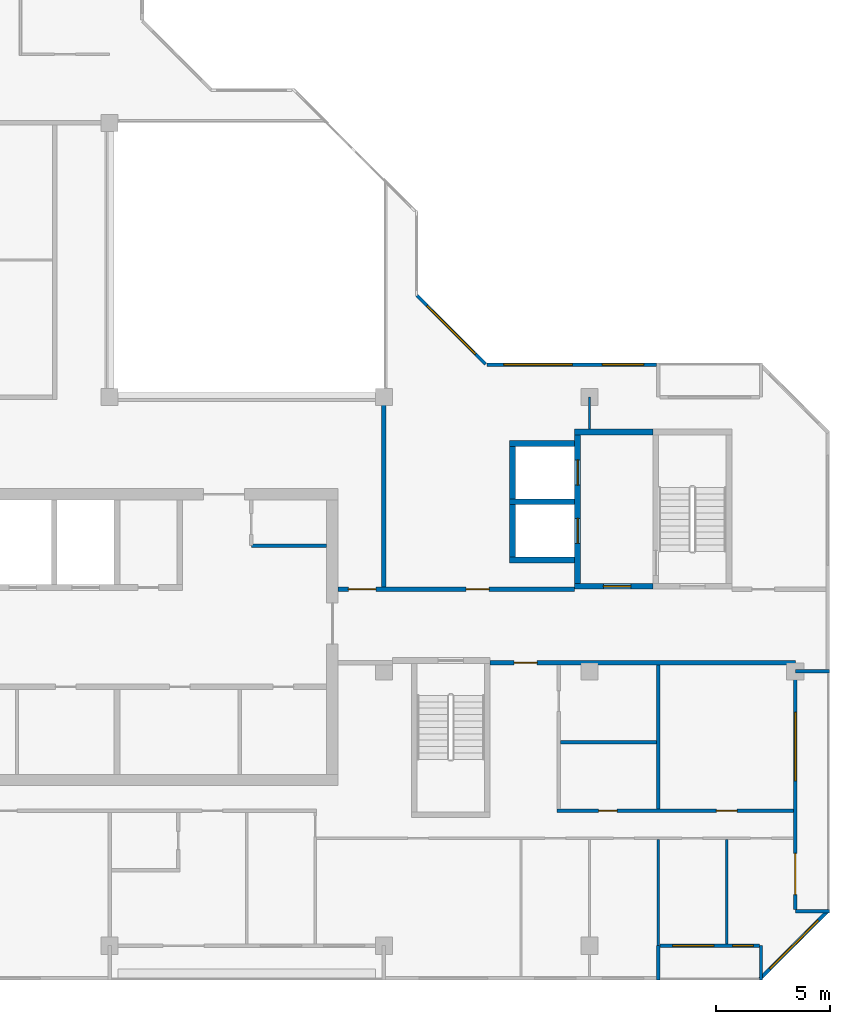
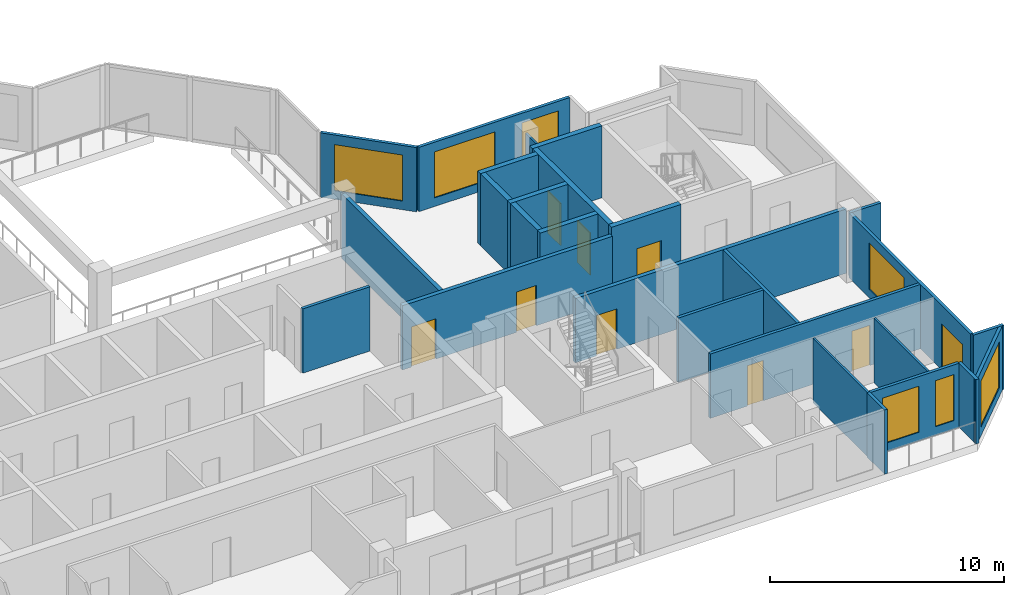
# One storey, part 6 of 12: 27 walls, 9 doors, 7 windows, 16 openings.
"""IFC4 building model written with IfcOpenShell, lengths in metres."""

from ifc_helpers import new_model, si_unit, direction, frame, frame_2d, origin, place, context, subcontext, project, spatial, rectangle, extrude, material, layer, layer_set, type_object, element, fill, save


model = new_model("IFC4")

# Units and contexts
model_context = context("Model", 3, precision=1e-05, world=origin(), true_north=direction((0.0, 1.0)))
body_context = subcontext(model_context, "Body", "Model", "MODEL_VIEW")
ifc_project = project(units=[si_unit("LENGTHUNIT", "METRE"), si_unit("AREAUNIT", "SQUARE_METRE"), si_unit("VOLUMEUNIT", "CUBIC_METRE"), si_unit("PLANEANGLEUNIT", "RADIAN"), si_unit("MASSUNIT", "GRAM", prefix="KILO")], contexts=[model_context])

# Site, building, storey
site_placement = place(None, origin())
site = spatial("IfcSite", under=ifc_project, at=site_placement, CompositionType="ELEMENT")
building_placement = place(site_placement, origin())
building = spatial("IfcBuilding", under=site, at=building_placement, Name="Chenar Terraces", CompositionType="ELEMENT")
storey_placement = place(building_placement, frame((0.0, 0.0, 342.64990234375)))
storey = spatial("IfcBuildingStorey", under=building, at=storey_placement, Name="L79", CompositionType="ELEMENT", Elevation=342.64990234375)

# Wall
ifc_material_1 = material(Name="Gypsum board on steel studs", Category="steel")
ifc_layer_1 = layer(ifc_material_1, 0.14990234375)
ifc_layer_set_1 = layer_set([ifc_layer_1], Name="Gypsum board on steel studs")
wall_type_1 = type_object("IfcWallType", Name="Core partition 150 gypsum board", PredefinedType="PARTITIONING", material=ifc_layer_set_1)
wall_1_placement = place(storey_placement, frame((30.199951171875, 17.5, 0.0), z_axis=(0.0, 0.0, 1.0), x_axis=(1.0, 0.0, 0.0)))
element("IfcWall", 1, at=wall_1_placement, inside=storey, type_object=wall_type_1, Name="Core partition CP1 vestibule room south wall", PredefinedType="PARTITIONING", context=body_context, shape_type="SweptSolid", body=[
    extrude(rectangle(XDim=3.300048828125, YDim=0.14990234375, at=frame_2d((1.64990234375, 0.0))), origin(), (0.0, 0.0, 1.0), 3.35009765625),
])

# Wall, opening, door
ifc_material_2 = material(Name="Concrete C50/60", Category="concrete")
ifc_layer_2 = layer(ifc_material_2, 0.25)
ifc_layer_set_2 = layer_set([ifc_layer_2], Name="Concrete C50/60")
wall_type_2 = type_object("IfcWallType", Name="Core wall 250 Concrete C50/60", PredefinedType="SHEAR", material=ifc_layer_set_2)
wall_2_placement = place(storey_placement, frame((44.35009765625, 15.72509765625, 0.0), z_axis=(0.0, 0.0, 1.0), x_axis=(1.0, 0.0, 0.0)))
wall_2 = element("IfcWall", 2, at=wall_2_placement, inside=storey, type_object=wall_type_2, Name="Core wall F3_LS L79", PredefinedType="SHEAR", context=body_context, shape_type="SweptSolid", body=[
    extrude(rectangle(XDim=3.4248046875, YDim=0.25, at=frame_2d((1.71240234375, 0.0))), origin(), (0.0, 0.0, 1.0), 3.75),
])
opening_1_placement = place(wall_2_placement, frame((1.25, 0.0, 0.0)))
opening_1 = element("IfcOpeningElement", 3, at=opening_1_placement, cuts=wall_2, Name="Opening DL79-C10", PredefinedType="OPENING", context=body_context, shape_type="SweptSolid", body=[
    extrude(rectangle(XDim=1.199951171875, YDim=2.199951171875, at=frame_2d((0.60009765625, 1.10009765625))), frame((0.0, 0.135009765625, 0.0), z_axis=(0.0, -1.0, 0.0), x_axis=(1.0, 0.0, 0.0)), (0.0, 0.0, 1.0), 0.27001953125),
])
ifc_material_3 = material(Name="Steel-framed fire-resisting door leaf", Category="steel")
door_type_1 = type_object("IfcDoorType", Name="Lobby fire door FD60 1200 x 2200", OperationType="SINGLE_SWING_LEFT", PredefinedType="DOOR", material=ifc_material_3)
door_1_placement = place(opening_1_placement, origin())
door_1 = element("IfcDoor", 4, at=door_1_placement, inside=storey, type_object=door_type_1, Name="Core door DL79-C10", OperationType="SINGLE_SWING_RIGHT", OverallHeight=2.199951171875, OverallWidth=1.199951171875, PredefinedType="DOOR", context=body_context, shape_type="SweptSolid", body=[
    extrude(rectangle(XDim=1.199951171875, YDim=2.199951171875, at=frame_2d((0.60009765625, 1.10009765625))), frame((0.0, 0.02490234375, 0.0), z_axis=(0.0, -1.0, 0.0), x_axis=(1.0, 0.0, 0.0)), (0.0, 0.0, 1.0), 0.050048828125),
])
fill(opening_1, door_1)

# Wall
wall_3_placement = place(storey_placement, frame((44.35009765625, 22.47509765625, 0.0), z_axis=(0.0, 0.0, 1.0), x_axis=(1.0, 0.0, 0.0)))
element("IfcWall", 5, at=wall_3_placement, inside=storey, type_object=wall_type_2, Name="Core wall F3_LN L79", PredefinedType="SHEAR", context=body_context, shape_type="SweptSolid", body=[
    extrude(rectangle(XDim=3.4248046875, YDim=0.25, at=frame_2d((1.71240234375, 0.0))), origin(), (0.0, 0.0, 1.0), 3.75),
])

# Wall, openings, doors
wall_4_placement = place(storey_placement, frame((44.47509765625, 15.85009765625, 0.0), z_axis=(0.0, 0.0, 1.0), x_axis=(0.0, 1.0, 0.0)))
wall_4 = element("IfcWall", 6, at=wall_4_placement, inside=storey, type_object=wall_type_2, Name="Core wall F3_LW L79", PredefinedType="SHEAR", context=body_context, shape_type="SweptSolid", body=[
    extrude(rectangle(XDim=6.5, YDim=0.25, at=frame_2d((3.25, 0.0))), origin(), (0.0, 0.0, 1.0), 3.75),
])
opening_2_placement = place(wall_4_placement, frame((1.75, 0.0, 0.0)))
opening_2 = element("IfcOpeningElement", 7, at=opening_2_placement, cuts=wall_4, Name="Opening DL79-LD8", PredefinedType="OPENING", context=body_context, shape_type="SweptSolid", body=[
    extrude(rectangle(XDim=1.10009765625, YDim=2.199951171875, at=frame_2d((0.550048828125, 1.10009765625))), frame((0.0, 0.135009765625, 0.0), z_axis=(0.0, -1.0, 0.0), x_axis=(1.0, 0.0, 0.0)), (0.0, 0.0, 1.0), 0.27001953125),
])
opening_3_placement = place(wall_4_placement, frame((4.300048828125, 0.0, 0.0)))
opening_3 = element("IfcOpeningElement", 8, at=opening_3_placement, cuts=wall_4, Name="Opening DL79-LD9", PredefinedType="OPENING", context=body_context, shape_type="SweptSolid", body=[
    extrude(rectangle(XDim=1.10009765625, YDim=2.199951171875, at=frame_2d((0.550048828125, 1.10009765625))), frame((0.0, 0.135009765625, 0.0), z_axis=(0.0, -1.0, 0.0), x_axis=(1.0, 0.0, 0.0)), (0.0, 0.0, 1.0), 0.27001953125),
])
ifc_material_4 = material(Name="Stainless steel", Category="steel")
door_type_2 = type_object("IfcDoorType", Name="Lift landing door 1100 x 2200 sliding", OperationType="DOUBLE_DOOR_SLIDING", PredefinedType="DOOR", material=ifc_material_4)
door_2_placement = place(opening_2_placement, origin())
door_2 = element("IfcDoor", 9, at=door_2_placement, inside=storey, type_object=door_type_2, Name="Landing door F3", OperationType="DOUBLE_DOOR_SLIDING", OverallHeight=2.199951171875, OverallWidth=1.10009765625, PredefinedType="DOOR", context=body_context, shape_type="SweptSolid", body=[
    extrude(rectangle(XDim=1.10009765625, YDim=2.199951171875, at=frame_2d((0.550048828125, 1.10009765625))), frame((0.0, 0.02490234375, 0.0), z_axis=(0.0, -1.0, 0.0), x_axis=(1.0, 0.0, 0.0)), (0.0, 0.0, 1.0), 0.050048828125),
])
fill(opening_2, door_2)
door_3_placement = place(opening_3_placement, origin())
door_3 = element("IfcDoor", 10, at=door_3_placement, inside=storey, type_object=door_type_2, Name="Landing door F4", OperationType="DOUBLE_DOOR_SLIDING", OverallHeight=2.199951171875, OverallWidth=1.10009765625, PredefinedType="DOOR", context=body_context, shape_type="SweptSolid", body=[
    extrude(rectangle(XDim=1.10009765625, YDim=2.199951171875, at=frame_2d((0.550048828125, 1.10009765625))), frame((0.0, 0.02490234375, 0.0), z_axis=(0.0, -1.0, 0.0), x_axis=(1.0, 0.0, 0.0)), (0.0, 0.0, 1.0), 0.050048828125),
])
fill(opening_3, door_3)

# Walls
for number, where, z_axis, x_axis, name in (
    (11, (41.5, 16.875, 0.0), (0.0, 0.0, 1.0), (1.0, 0.0, 0.0), "Core wall F3_SS L79"),
    (12, (41.5, 19.425048828125, 0.0), (0.0, 0.0, 1.0), (1.0, 0.0, 0.0), "Core wall F3_SM L79"),
    (13, (41.5, 21.97509765625, 0.0), (0.0, 0.0, 1.0), (1.0, 0.0, 0.0), "Core wall F4_SN L79"),
):
    element("IfcWall", number, at=place(storey_placement, frame(where, z_axis=z_axis, x_axis=x_axis)), inside=storey, type_object=wall_type_2, Name=name, PredefinedType="SHEAR", context=body_context, shape_type="SweptSolid", body=[
        extrude(rectangle(XDim=2.85009765625, YDim=0.25, at=frame_2d((1.425048828125, 0.0))), origin(), (0.0, 0.0, 1.0), 3.75),
    ])
for number, where, z_axis, x_axis, name in (
    (14, (41.625, 17.0, 0.0), (0.0, 0.0, 1.0), (0.0, 1.0, 0.0), "Core wall F3_SW L79"),
    (15, (41.625, 19.550048828125, 0.0), (0.0, 0.0, 1.0), (0.0, 1.0, 0.0), "Core wall F4_SW L79"),
):
    element("IfcWall", number, at=place(storey_placement, frame(where, z_axis=z_axis, x_axis=x_axis)), inside=storey, type_object=wall_type_2, Name=name, PredefinedType="SHEAR", context=body_context, shape_type="SweptSolid", body=[
        extrude(rectangle(XDim=2.300048828125, YDim=0.25, at=frame_2d((1.14990234375, 0.0))), origin(), (0.0, 0.0, 1.0), 3.75),
    ])

# Wall, openings, doors
ifc_material_5 = material(Name="Gypsum board on steel studs with fire boards", Category="steel")
ifc_layer_3 = layer(ifc_material_5, 0.199951171875)
ifc_layer_set_3 = layer_set([ifc_layer_3], Name="Gypsum board on steel studs with fire boards")
wall_type_3 = type_object("IfcWallType", Name="Corridor wall 200", PredefinedType="PARTITIONING", material=ifc_layer_set_3)
wall_5_placement = place(storey_placement, frame((34.0, 15.60009765625, 0.0), z_axis=(0.0, 0.0, 1.0), x_axis=(1.0, 0.0, 0.0)))
wall_5 = element("IfcWall", 16, at=wall_5_placement, inside=storey, type_object=wall_type_3, Name="Partition L79-051", PredefinedType="PARTITIONING", context=body_context, shape_type="SweptSolid", body=[
    extrude(rectangle(XDim=10.35009765625, YDim=0.199951171875, at=frame_2d((5.175048828125, 0.0))), origin(), (0.0, 0.0, 1.0), 3.35009765625),
])
opening_4_placement = place(wall_5_placement, frame((5.60009765625, 0.0, 0.0)))
opening_4 = element("IfcOpeningElement", 17, at=opening_4_placement, cuts=wall_5, Name="Opening DL79-3", PredefinedType="OPENING", context=body_context, shape_type="SweptSolid", body=[
    extrude(rectangle(XDim=1.0, YDim=2.10009765625, at=frame_2d((0.5, 1.050048828125))), frame((0.0, 0.10986328125, 0.0), z_axis=(0.0, -1.0, 0.0), x_axis=(1.0, 0.0, 0.0)), (0.0, 0.0, 1.0), 0.219970703125),
])
opening_5_placement = place(wall_5_placement, frame((0.449951171875, 0.0, 0.0)))
opening_5 = element("IfcOpeningElement", 18, at=opening_5_placement, cuts=wall_5, Name="Opening DL79-19", PredefinedType="OPENING", context=body_context, shape_type="SweptSolid", body=[
    extrude(rectangle(XDim=1.199951171875, YDim=2.10009765625, at=frame_2d((0.60009765625, 1.050048828125))), frame((0.0, 0.10986328125, 0.0), z_axis=(0.0, -1.0, 0.0), x_axis=(1.0, 0.0, 0.0)), (0.0, 0.0, 1.0), 0.219970703125),
])
ifc_material_6 = material(Name="Steel-framed fire-resisting door leaf", Category="steel")
door_type_3 = type_object("IfcDoorType", Name="Fire door FD60 1000 x 2100", OperationType="SINGLE_SWING_LEFT", PredefinedType="DOOR", material=ifc_material_6)
door_4_placement = place(opening_4_placement, origin())
door_4 = element("IfcDoor", 19, at=door_4_placement, inside=storey, type_object=door_type_3, Name="Door DL79-3", OperationType="SINGLE_SWING_RIGHT", OverallHeight=2.10009765625, OverallWidth=1.0, PredefinedType="DOOR", context=body_context, shape_type="SweptSolid", body=[
    extrude(rectangle(XDim=1.0, YDim=2.10009765625, at=frame_2d((0.5, 1.050048828125))), frame((0.0, 0.02490234375, 0.0), z_axis=(0.0, -1.0, 0.0), x_axis=(1.0, 0.0, 0.0)), (0.0, 0.0, 1.0), 0.050048828125),
])
fill(opening_4, door_4)
ifc_material_7 = material(Name="Steel-framed fire-resisting door leaf", Category="steel")
door_type_4 = type_object("IfcDoorType", Name="Fire door FD60 1200 x 2100", OperationType="SINGLE_SWING_LEFT", PredefinedType="DOOR", material=ifc_material_7)
door_5_placement = place(opening_5_placement, origin())
door_5 = element("IfcDoor", 20, at=door_5_placement, inside=storey, type_object=door_type_4, Name="Door DL79-19", OperationType="SINGLE_SWING_RIGHT", OverallHeight=2.10009765625, OverallWidth=1.199951171875, PredefinedType="DOOR", context=body_context, shape_type="SweptSolid", body=[
    extrude(rectangle(XDim=1.199951171875, YDim=2.10009765625, at=frame_2d((0.60009765625, 1.050048828125))), frame((0.0, 0.02490234375, 0.0), z_axis=(0.0, -1.0, 0.0), x_axis=(1.0, 0.0, 0.0)), (0.0, 0.0, 1.0), 0.050048828125),
])
fill(opening_5, door_5)

# Wall
wall_6_placement = place(storey_placement, frame((36.0, 15.699951171875, 0.0), z_axis=(0.0, 0.0, 1.0), x_axis=(0.0, 1.0, 0.0)))
element("IfcWall", 21, at=wall_6_placement, inside=storey, type_object=wall_type_3, Name="Partition L79-052", PredefinedType="PARTITIONING", context=body_context, shape_type="SweptSolid", body=[
    extrude(rectangle(XDim=8.300048828125, YDim=0.199951171875, at=frame_2d((4.14990234375, 0.0))), origin(), (0.0, 0.0, 1.0), 3.35009765625),
])

# Wall, opening, door
wall_7_placement = place(storey_placement, frame((40.64990234375, 12.375, 0.0), z_axis=(0.0, 0.0, 1.0), x_axis=(1.0, 0.0, 0.0)))
wall_7 = element("IfcWall", 22, at=wall_7_placement, inside=storey, type_object=wall_type_3, Name="Partition L79-053", PredefinedType="PARTITIONING", context=body_context, shape_type="SweptSolid", body=[
    extrude(rectangle(XDim=13.35009765625, YDim=0.199951171875, at=frame_2d((6.675048828125, 0.0))), origin(), (0.0, 0.0, 1.0), 3.35009765625),
])
opening_6_placement = place(wall_7_placement, frame((1.050048828125, 0.0, 0.0)))
opening_6 = element("IfcOpeningElement", 23, at=opening_6_placement, cuts=wall_7, Name="Opening DL79-35", PredefinedType="OPENING", context=body_context, shape_type="SweptSolid", body=[
    extrude(rectangle(XDim=1.0, YDim=2.10009765625, at=frame_2d((0.5, 1.050048828125))), frame((0.0, 0.10986328125, 0.0), z_axis=(0.0, -1.0, 0.0), x_axis=(1.0, 0.0, 0.0)), (0.0, 0.0, 1.0), 0.219970703125),
])
ifc_material_8 = material(Name="Steel-framed fire-resisting door leaf", Category="steel")
door_type_5 = type_object("IfcDoorType", Name="Fire door FD30S 1000 x 2100", OperationType="SINGLE_SWING_LEFT", PredefinedType="DOOR", material=ifc_material_8)
door_6_placement = place(opening_6_placement, origin())
door_6 = element("IfcDoor", 24, at=door_6_placement, inside=storey, type_object=door_type_5, Name="Door DL79-35", OperationType="SINGLE_SWING_LEFT", OverallHeight=2.10009765625, OverallWidth=1.0, PredefinedType="DOOR", context=body_context, shape_type="SweptSolid", body=[
    extrude(rectangle(XDim=1.0, YDim=2.10009765625, at=frame_2d((0.5, 1.050048828125))), frame((0.0, 0.02490234375, 0.0), z_axis=(0.0, -1.0, 0.0), x_axis=(1.0, 0.0, 0.0)), (0.0, 0.0, 1.0), 0.050048828125),
])
fill(opening_6, door_6)

# Wall, openings, windows
ifc_material_9 = material(Name="Aluminium framed glazing", Category="aluminium")
ifc_layer_4 = layer(ifc_material_9, 0.14990234375)
ifc_layer_set_4 = layer_set([ifc_layer_4], Name="Aluminium framed glazing")
wall_type_4 = type_object("IfcWallType", Name="Glazed flush facade wall 150", PredefinedType="SOLIDWALL", material=ifc_layer_set_4)
wall_8_placement = place(storey_placement, frame((47.925048828125, 25.425048828125, 0.0), z_axis=(0.0, 0.0, 1.0), x_axis=(-1.0, 0.0, 0.0)))
wall_8 = element("IfcWall", 25, at=wall_8_placement, inside=storey, type_object=wall_type_4, Name="Glazed flush facade wall", PredefinedType="SOLIDWALL", context=body_context, shape_type="SweptSolid", body=[
    extrude(rectangle(XDim=7.425048828125, YDim=0.14990234375, at=frame_2d((3.71240234375, 0.0))), origin(), (0.0, 0.0, 1.0), 3.35009765625),
])
opening_7_placement = place(wall_8_placement, frame((0.5625, 0.0, 0.449951171875)))
opening_7 = element("IfcOpeningElement", 26, at=opening_7_placement, cuts=wall_8, Name="Opening W180x240", PredefinedType="OPENING", context=body_context, shape_type="SweptSolid", body=[
    extrude(rectangle(XDim=1.800048828125, YDim=2.39990234375, at=frame_2d((0.89990234375, 1.199951171875))), frame((0.0, 0.0849609375, 0.0), z_axis=(0.0, -1.0, 0.0), x_axis=(1.0, 0.0, 0.0)), (0.0, 0.0, 1.0), 0.169921875),
])
opening_8_placement = place(wall_8_placement, frame((3.675048828125, 0.0, 0.449951171875)))
opening_8 = element("IfcOpeningElement", 27, at=opening_8_placement, cuts=wall_8, Name="Opening W300x240", PredefinedType="OPENING", context=body_context, shape_type="SweptSolid", body=[
    extrude(rectangle(XDim=3.0, YDim=2.39990234375, at=frame_2d((1.5, 1.199951171875))), frame((0.0, 0.0849609375, 0.0), z_axis=(0.0, -1.0, 0.0), x_axis=(1.0, 0.0, 0.0)), (0.0, 0.0, 1.0), 0.169921875),
])
ifc_material_10 = material(Name="Low emissivity double glazing, aluminium frame", Category="aluminium")
window_type_1 = type_object("IfcWindowType", Name="Fixed light 1800 x 2400", PartitioningType="SINGLE_PANEL", PredefinedType="WINDOW", material=ifc_material_10)
window_1_placement = place(opening_7_placement, origin())
window_1 = element("IfcWindow", 28, at=window_1_placement, inside=storey, type_object=window_type_1, Name="Window", OverallHeight=2.39990234375, OverallWidth=1.800048828125, PartitioningType="SINGLE_PANEL", PredefinedType="WINDOW", context=body_context, shape_type="SweptSolid", body=[
    extrude(rectangle(XDim=1.800048828125, YDim=2.39990234375, at=frame_2d((0.89990234375, 1.199951171875))), frame((0.0, 0.030029296875, 0.0), z_axis=(0.0, -1.0, 0.0), x_axis=(1.0, 0.0, 0.0)), (0.0, 0.0, 1.0), 0.06005859375),
])
fill(opening_7, window_1)
ifc_material_11 = material(Name="Low emissivity double glazing, aluminium frame", Category="aluminium")
window_type_2 = type_object("IfcWindowType", Name="Fixed light 3000 x 2400", PartitioningType="SINGLE_PANEL", PredefinedType="WINDOW", material=ifc_material_11)
window_2_placement = place(opening_8_placement, origin())
window_2 = element("IfcWindow", 29, at=window_2_placement, inside=storey, type_object=window_type_2, Name="Window", OverallHeight=2.39990234375, OverallWidth=3.0, PartitioningType="SINGLE_PANEL", PredefinedType="WINDOW", context=body_context, shape_type="SweptSolid", body=[
    extrude(rectangle(XDim=3.0, YDim=2.39990234375, at=frame_2d((1.5, 1.199951171875))), frame((0.0, 0.030029296875, 0.0), z_axis=(0.0, -1.0, 0.0), x_axis=(1.0, 0.0, 0.0)), (0.0, 0.0, 1.0), 0.06005859375),
])
fill(opening_8, window_2)

ifc_material_12 = material(Name="Aluminium framed glazing", Category="aluminium")
ifc_layer_5 = layer(ifc_material_12, 0.14990234375)
ifc_layer_set_5 = layer_set([ifc_layer_5], Name="Aluminium framed glazing")
wall_type_5 = type_object("IfcWallType", Name="Glazed loggia back wall 150", PredefinedType="SOLIDWALL", material=ifc_layer_set_5)
wall_9_placement = place(storey_placement, frame((48.074951171875, 0.0, 0.0), z_axis=(0.0, 0.0, 1.0), x_axis=(1.0, 0.0, 0.0)))
wall_9 = element("IfcWall", 30, at=wall_9_placement, inside=storey, type_object=wall_type_5, Name="Glazed loggia back wall", PredefinedType="SOLIDWALL", context=body_context, shape_type="SweptSolid", body=[
    extrude(rectangle(XDim=4.35009765625, YDim=0.14990234375, at=frame_2d((2.175048828125, 0.0))), origin(), (0.0, 0.0, 1.0), 3.35009765625),
])
opening_9_placement = place(wall_9_placement, frame((0.5625, 0.0, 0.449951171875)))
opening_9 = element("IfcOpeningElement", 31, at=opening_9_placement, cuts=wall_9, Name="Opening W180x240", PredefinedType="OPENING", context=body_context, shape_type="SweptSolid", body=[
    extrude(rectangle(XDim=1.800048828125, YDim=2.39990234375, at=frame_2d((0.89990234375, 1.199951171875))), frame((0.0, 0.0849609375, 0.0), z_axis=(0.0, -1.0, 0.0), x_axis=(1.0, 0.0, 0.0)), (0.0, 0.0, 1.0), 0.169921875),
])
opening_10_placement = place(wall_9_placement, frame((3.1875, 0.0, 0.449951171875)))
opening_10 = element("IfcOpeningElement", 32, at=opening_10_placement, cuts=wall_9, Name="Opening W90x240", PredefinedType="OPENING", context=body_context, shape_type="SweptSolid", body=[
    extrude(rectangle(XDim=0.89990234375, YDim=2.39990234375, at=frame_2d((0.449951171875, 1.199951171875))), frame((0.0, 0.0849609375, 0.0), z_axis=(0.0, -1.0, 0.0), x_axis=(1.0, 0.0, 0.0)), (0.0, 0.0, 1.0), 0.169921875),
])
window_3_placement = place(opening_9_placement, origin())
window_3 = element("IfcWindow", 33, at=window_3_placement, inside=storey, type_object=window_type_1, Name="Window", OverallHeight=2.39990234375, OverallWidth=1.800048828125, PartitioningType="SINGLE_PANEL", PredefinedType="WINDOW", context=body_context, shape_type="SweptSolid", body=[
    extrude(rectangle(XDim=1.800048828125, YDim=2.39990234375, at=frame_2d((0.89990234375, 1.199951171875))), frame((0.0, 0.030029296875, 0.0), z_axis=(0.0, -1.0, 0.0), x_axis=(1.0, 0.0, 0.0)), (0.0, 0.0, 1.0), 0.06005859375),
])
fill(opening_9, window_3)
ifc_material_13 = material(Name="Low emissivity double glazing, aluminium frame", Category="aluminium")
window_type_3 = type_object("IfcWindowType", Name="Fixed light 900 x 2400", PartitioningType="SINGLE_PANEL", PredefinedType="WINDOW", material=ifc_material_13)
window_4_placement = place(opening_10_placement, origin())
window_4 = element("IfcWindow", 34, at=window_4_placement, inside=storey, type_object=window_type_3, Name="Window", OverallHeight=2.39990234375, OverallWidth=0.89990234375, PartitioningType="SINGLE_PANEL", PredefinedType="WINDOW", context=body_context, shape_type="SweptSolid", body=[
    extrude(rectangle(XDim=0.89990234375, YDim=2.39990234375, at=frame_2d((0.449951171875, 1.199951171875))), frame((0.0, 0.030029296875, 0.0), z_axis=(0.0, -1.0, 0.0), x_axis=(1.0, 0.0, 0.0)), (0.0, 0.0, 1.0), 0.06005859375),
])
fill(opening_10, window_4)

# Wall, openings, window, door
wall_10_placement = place(storey_placement, frame((54.0, 1.574951171875, 0.0), z_axis=(0.0, 0.0, 1.0), x_axis=(0.0, 1.0, 0.0)))
wall_10 = element("IfcWall", 35, at=wall_10_placement, inside=storey, type_object=wall_type_5, Name="Glazed loggia back wall", PredefinedType="SOLIDWALL", context=body_context, shape_type="SweptSolid", body=[
    extrude(rectangle(XDim=10.35009765625, YDim=0.14990234375, at=frame_2d((5.175048828125, 0.0))), origin(), (0.0, 0.0, 1.0), 3.35009765625),
])
opening_11_placement = place(wall_10_placement, frame((0.66259765625, 0.0, 0.0)))
opening_11 = element("IfcOpeningElement", 36, at=opening_11_placement, cuts=wall_10, Name="Opening DL79-G5", PredefinedType="OPENING", context=body_context, shape_type="SweptSolid", body=[
    extrude(rectangle(XDim=1.800048828125, YDim=2.39990234375, at=frame_2d((0.89990234375, 1.199951171875))), frame((0.0, 0.0849609375, 0.0), z_axis=(0.0, -1.0, 0.0), x_axis=(1.0, 0.0, 0.0)), (0.0, 0.0, 1.0), 0.169921875),
])
opening_12_placement = place(wall_10_placement, frame((5.637451171875, 0.0, 0.449951171875)))
opening_12 = element("IfcOpeningElement", 37, at=opening_12_placement, cuts=wall_10, Name="Opening W300x240", PredefinedType="OPENING", context=body_context, shape_type="SweptSolid", body=[
    extrude(rectangle(XDim=3.0, YDim=2.39990234375, at=frame_2d((1.5, 1.199951171875))), frame((0.0, 0.0849609375, 0.0), z_axis=(0.0, -1.0, 0.0), x_axis=(1.0, 0.0, 0.0)), (0.0, 0.0, 1.0), 0.169921875),
])
window_5_placement = place(opening_12_placement, origin())
window_5 = element("IfcWindow", 38, at=window_5_placement, inside=storey, type_object=window_type_2, Name="Window", OverallHeight=2.39990234375, OverallWidth=3.0, PartitioningType="SINGLE_PANEL", PredefinedType="WINDOW", context=body_context, shape_type="SweptSolid", body=[
    extrude(rectangle(XDim=3.0, YDim=2.39990234375, at=frame_2d((1.5, 1.199951171875))), frame((0.0, 0.030029296875, 0.0), z_axis=(0.0, -1.0, 0.0), x_axis=(1.0, 0.0, 0.0)), (0.0, 0.0, 1.0), 0.06005859375),
])
fill(opening_12, window_5)
ifc_material_14 = material(Name="Low emissivity double glazing, aluminium frame", Category="aluminium")
door_type_6 = type_object("IfcDoorType", Name="Loggia glazed double door 1800 x 2400", OperationType="DOUBLE_DOOR_SINGLE_SWING", PredefinedType="DOOR", material=ifc_material_14)
door_7_placement = place(opening_11_placement, frame((1.800048828125, 0.0, 0.0), z_axis=(0.0, 0.0, 1.0), x_axis=(-1.0, 0.0, 0.0)))
door_7 = element("IfcDoor", 39, at=door_7_placement, inside=storey, type_object=door_type_6, Name="Loggia glazed door", OperationType="DOUBLE_DOOR_SINGLE_SWING", OverallHeight=2.39990234375, OverallWidth=1.800048828125, PredefinedType="DOOR", context=body_context, shape_type="SweptSolid", body=[
    extrude(rectangle(XDim=1.800048828125, YDim=2.39990234375, at=frame_2d((0.89990234375, 1.199951171875))), frame((0.0, 0.02490234375, 0.0), z_axis=(0.0, -1.0, 0.0), x_axis=(1.0, 0.0, 0.0)), (0.0, 0.0, 1.0), 0.050048828125),
])
fill(opening_11, door_7)

# Walls
ifc_material_15 = material(Name="Gypsum board on steel studs", Category="steel")
ifc_layer_6 = layer(ifc_material_15, 0.10009765625)
ifc_layer_set_6 = layer_set([ifc_layer_6], Name="Gypsum board on steel studs")
wall_type_6 = type_object("IfcWallType", Name="Gypsum partition 100", PredefinedType="PARTITIONING", material=ifc_layer_set_6)
wall_11_placement = place(storey_placement, frame((45.0, 22.60009765625, 0.0), z_axis=(0.0, 0.0, 1.0), x_axis=(0.0, 1.0, 0.0)))
element("IfcWall", 40, at=wall_11_placement, inside=storey, type_object=wall_type_6, Name="Partition L79-059", PredefinedType="PARTITIONING", context=body_context, shape_type="SweptSolid", body=[
    extrude(rectangle(XDim=1.39990234375, YDim=0.10009765625, at=frame_2d((0.699951171875, 0.0))), origin(), (0.0, 0.0, 1.0), 3.35009765625),
])
wall_12_placement = place(storey_placement, frame((48.0, 0.0, 0.0), z_axis=(0.0, 0.0, 1.0), x_axis=(0.0, 1.0, 0.0)))
element("IfcWall", 41, at=wall_12_placement, inside=storey, type_object=wall_type_6, Name="Partition L79-060", PredefinedType="PARTITIONING", context=body_context, shape_type="SweptSolid", body=[
    extrude(rectangle(XDim=4.64990234375, YDim=0.10009765625, at=frame_2d((2.324951171875, 0.0))), origin(), (0.0, 0.0, 1.0), 3.35009765625),
])
wall_13_placement = place(storey_placement, frame((51.0, 0.073974609375, 0.0), z_axis=(0.0, 0.0, 1.0), x_axis=(0.0, 1.0, 0.0)))
element("IfcWall", 42, at=wall_13_placement, inside=storey, type_object=wall_type_6, Name="Partition L79-062", PredefinedType="PARTITIONING", context=body_context, shape_type="SweptSolid", body=[
    extrude(rectangle(XDim=4.575927734375, YDim=0.10009765625, at=frame_2d((2.2880859375, 0.0))), origin(), (0.0, 0.0, 1.0), 3.35009765625),
])
ifc_material_16 = material(Name="Terracotta cladding on insulated backing", Category="masonry")
ifc_layer_7 = layer(ifc_material_16, 0.14990234375)
ifc_layer_set_7 = layer_set([ifc_layer_7], Name="Terracotta cladding on insulated backing")
wall_type_7 = type_object("IfcWallType", Name="Loggia return wall 150", PredefinedType="SOLIDWALL", material=ifc_layer_set_7)
for number, where, z_axis, x_axis, name in (
    (43, (48.0, -1.5, 0.0), (0.0, 0.0, 1.0), (0.0, 1.0, 0.0), "Loggia return wall"),
    (44, (52.5, -1.5, 0.0), (0.0, 0.0, 1.0), (0.0, 1.0, 0.0), "Loggia return wall"),
    (45, (55.5, 1.5, 0.0), (0.0, 0.0, 1.0), (-1.0, 0.0, 0.0), "Loggia return wall"),
    (46, (55.5, 12.0, 0.0), (0.0, 0.0, 1.0), (-1.0, 0.0, 0.0), "Loggia return wall"),
):
    element("IfcWall", number, at=place(storey_placement, frame(where, z_axis=z_axis, x_axis=x_axis)), inside=storey, type_object=wall_type_7, Name=name, PredefinedType="SOLIDWALL", context=body_context, shape_type="SweptSolid", body=[
        extrude(rectangle(XDim=1.5, YDim=0.14990234375, at=frame_2d((0.75, 0.0))), origin(), (0.0, 0.0, 1.0), 3.35009765625),
    ])

# Wall, opening, window
ifc_material_17 = material(Name="Terracotta cladding on insulated backing", Category="masonry")
ifc_layer_8 = layer(ifc_material_17, 0.14990234375)
ifc_layer_set_8 = layer_set([ifc_layer_8], Name="Terracotta cladding on insulated backing")
wall_type_8 = type_object("IfcWallType", Name="Terracotta rainscreen wall 150", PredefinedType="SOLIDWALL", material=ifc_layer_set_8)
wall_14_placement = place(storey_placement, frame((40.447021484375, 25.447021484375, 0.0), z_axis=(0.0, 0.0, 1.0), x_axis=(-0.707106781187, 0.707106781187, 0.0)))
wall_14 = element("IfcWall", 47, at=wall_14_placement, inside=storey, type_object=wall_type_8, Name="Terracotta rainscreen wall", PredefinedType="SOLIDWALL", context=body_context, shape_type="SweptSolid", body=[
    extrude(rectangle(XDim=4.24267578125, YDim=0.14990234375, at=frame_2d((2.121337890625, 0.0))), origin(), (0.0, 0.0, 1.0), 3.35009765625),
])
opening_13_placement = place(wall_14_placement, frame((0.621337890625, 0.0, 0.449951171875)))
opening_13 = element("IfcOpeningElement", 48, at=opening_13_placement, cuts=wall_14, Name="Opening W300x240", PredefinedType="OPENING", context=body_context, shape_type="SweptSolid", body=[
    extrude(rectangle(XDim=3.0, YDim=2.39990234375, at=frame_2d((1.5, 1.199951171875))), frame((0.0, 0.0849609375, 0.0), z_axis=(0.0, -1.0, 0.0), x_axis=(1.0, 0.0, 0.0)), (0.0, 0.0, 1.0), 0.169921875),
])
window_6_placement = place(opening_13_placement, origin())
window_6 = element("IfcWindow", 49, at=window_6_placement, inside=storey, type_object=window_type_2, Name="Window", OverallHeight=2.39990234375, OverallWidth=3.0, PartitioningType="SINGLE_PANEL", PredefinedType="WINDOW", context=body_context, shape_type="SweptSolid", body=[
    extrude(rectangle(XDim=3.0, YDim=2.39990234375, at=frame_2d((1.5, 1.199951171875))), frame((0.0, 0.030029296875, 0.0), z_axis=(0.0, -1.0, 0.0), x_axis=(1.0, 0.0, 0.0)), (0.0, 0.0, 1.0), 0.06005859375),
])
fill(opening_13, window_6)

wall_15_placement = place(storey_placement, frame((52.447021484375, -1.447021484375, 0.0), z_axis=(0.0, 0.0, 1.0), x_axis=(0.707106781187, 0.707106781187, 0.0)))
wall_15 = element("IfcWall", 50, at=wall_15_placement, inside=storey, type_object=wall_type_8, Name="Terracotta rainscreen wall", PredefinedType="SOLIDWALL", context=body_context, shape_type="SweptSolid", body=[
    extrude(rectangle(XDim=4.24267578125, YDim=0.14990234375, at=frame_2d((2.121337890625, 0.0))), origin(), (0.0, 0.0, 1.0), 3.35009765625),
])
opening_14_placement = place(wall_15_placement, frame((0.621337890625, 0.0, 0.449951171875)))
opening_14 = element("IfcOpeningElement", 51, at=opening_14_placement, cuts=wall_15, Name="Opening W300x240", PredefinedType="OPENING", context=body_context, shape_type="SweptSolid", body=[
    extrude(rectangle(XDim=3.0, YDim=2.39990234375, at=frame_2d((1.5, 1.199951171875))), frame((0.0, 0.0849609375, 0.0), z_axis=(0.0, -1.0, 0.0), x_axis=(1.0, 0.0, 0.0)), (0.0, 0.0, 1.0), 0.169921875),
])
window_7_placement = place(opening_14_placement, origin())
window_7 = element("IfcWindow", 52, at=window_7_placement, inside=storey, type_object=window_type_2, Name="Window", OverallHeight=2.39990234375, OverallWidth=3.0, PartitioningType="SINGLE_PANEL", PredefinedType="WINDOW", context=body_context, shape_type="SweptSolid", body=[
    extrude(rectangle(XDim=3.0, YDim=2.39990234375, at=frame_2d((1.5, 1.199951171875))), frame((0.0, 0.030029296875, 0.0), z_axis=(0.0, -1.0, 0.0), x_axis=(1.0, 0.0, 0.0)), (0.0, 0.0, 1.0), 0.06005859375),
])
fill(opening_14, window_7)

# Wall, openings, doors
ifc_material_18 = material(Name="Moisture-resistant gypsum board on steel studs", Category="steel")
ifc_layer_9 = layer(ifc_material_18, 0.14990234375)
ifc_layer_set_9 = layer_set([ifc_layer_9], Name="Moisture-resistant gypsum board on steel studs")
wall_type_9 = type_object("IfcWallType", Name="Wet-room partition 150", PredefinedType="PARTITIONING", material=ifc_layer_set_9)
wall_16_placement = place(storey_placement, frame((43.574951171875, 5.89990234375, 0.0), z_axis=(0.0, 0.0, 1.0), x_axis=(1.0, 0.0, 0.0)))
wall_16 = element("IfcWall", 53, at=wall_16_placement, inside=storey, type_object=wall_type_9, Name="Partition L79-055", PredefinedType="PARTITIONING", context=body_context, shape_type="SweptSolid", body=[
    extrude(rectangle(XDim=10.35107421875, YDim=0.14990234375, at=frame_2d((5.175537109375, 0.0))), origin(), (0.0, 0.0, 1.0), 3.35009765625),
])
opening_15_placement = place(wall_16_placement, frame((1.824951171875, 0.0, 0.0)))
opening_15 = element("IfcOpeningElement", 54, at=opening_15_placement, cuts=wall_16, Name="Opening DL79-24", PredefinedType="OPENING", context=body_context, shape_type="SweptSolid", body=[
    extrude(rectangle(XDim=0.800048828125, YDim=2.10009765625, at=frame_2d((0.39990234375, 1.050048828125))), frame((0.0, 0.0849609375, 0.0), z_axis=(0.0, -1.0, 0.0), x_axis=(1.0, 0.0, 0.0)), (0.0, 0.0, 1.0), 0.169921875),
])
opening_16_placement = place(wall_16_placement, frame((6.97509765625, 0.0, 0.0)))
opening_16 = element("IfcOpeningElement", 55, at=opening_16_placement, cuts=wall_16, Name="Opening DL79-39", PredefinedType="OPENING", context=body_context, shape_type="SweptSolid", body=[
    extrude(rectangle(XDim=0.89990234375, YDim=2.10009765625, at=frame_2d((0.449951171875, 1.050048828125))), frame((0.0, 0.0849609375, 0.0), z_axis=(0.0, -1.0, 0.0), x_axis=(1.0, 0.0, 0.0)), (0.0, 0.0, 1.0), 0.169921875),
])
ifc_material_19 = material(Name="Veneered timber door leaf", Category="wood")
door_type_7 = type_object("IfcDoorType", Name="Door 800 x 2100", OperationType="SINGLE_SWING_LEFT", PredefinedType="DOOR", material=ifc_material_19)
door_8_placement = place(opening_15_placement, origin())
door_8 = element("IfcDoor", 56, at=door_8_placement, inside=storey, type_object=door_type_7, Name="Door DL79-24", OperationType="SINGLE_SWING_RIGHT", OverallHeight=2.10009765625, OverallWidth=0.800048828125, PredefinedType="DOOR", context=body_context, shape_type="SweptSolid", body=[
    extrude(rectangle(XDim=0.800048828125, YDim=2.10009765625, at=frame_2d((0.39990234375, 1.050048828125))), frame((0.0, 0.02490234375, 0.0), z_axis=(0.0, -1.0, 0.0), x_axis=(1.0, 0.0, 0.0)), (0.0, 0.0, 1.0), 0.050048828125),
])
fill(opening_15, door_8)
ifc_material_20 = material(Name="Veneered timber door leaf", Category="wood")
door_type_8 = type_object("IfcDoorType", Name="Door 900 x 2100", OperationType="SINGLE_SWING_LEFT", PredefinedType="DOOR", material=ifc_material_20)
door_9_placement = place(opening_16_placement, origin())
door_9 = element("IfcDoor", 57, at=door_9_placement, inside=storey, type_object=door_type_8, Name="Door DL79-39", OperationType="SINGLE_SWING_RIGHT", OverallHeight=2.10009765625, OverallWidth=0.89990234375, PredefinedType="DOOR", context=body_context, shape_type="SweptSolid", body=[
    extrude(rectangle(XDim=0.89990234375, YDim=2.10009765625, at=frame_2d((0.449951171875, 1.050048828125))), frame((0.0, 0.02490234375, 0.0), z_axis=(0.0, -1.0, 0.0), x_axis=(1.0, 0.0, 0.0)), (0.0, 0.0, 1.0), 0.050048828125),
])
fill(opening_16, door_9)

# Walls
wall_17_placement = place(storey_placement, frame((43.72509765625, 8.89990234375, 0.0), z_axis=(0.0, 0.0, 1.0), x_axis=(1.0, 0.0, 0.0)))
element("IfcWall", 58, at=wall_17_placement, inside=storey, type_object=wall_type_9, Name="Partition L79-057", PredefinedType="PARTITIONING", context=body_context, shape_type="SweptSolid", body=[
    extrude(rectangle(XDim=4.199951171875, YDim=0.14990234375, at=frame_2d((2.10009765625, 0.0))), origin(), (0.0, 0.0, 1.0), 3.35009765625),
])
wall_18_placement = place(storey_placement, frame((48.0, 5.97509765625, 0.0), z_axis=(0.0, 0.0, 1.0), x_axis=(0.0, 1.0, 0.0)))
element("IfcWall", 59, at=wall_18_placement, inside=storey, type_object=wall_type_9, Name="Partition L79-061", PredefinedType="PARTITIONING", context=body_context, shape_type="SweptSolid", body=[
    extrude(rectangle(XDim=6.2998046875, YDim=0.14990234375, at=frame_2d((3.14990234375, 0.0))), origin(), (0.0, 0.0, 1.0), 3.35009765625),
])

save(model, "model.ifc")
